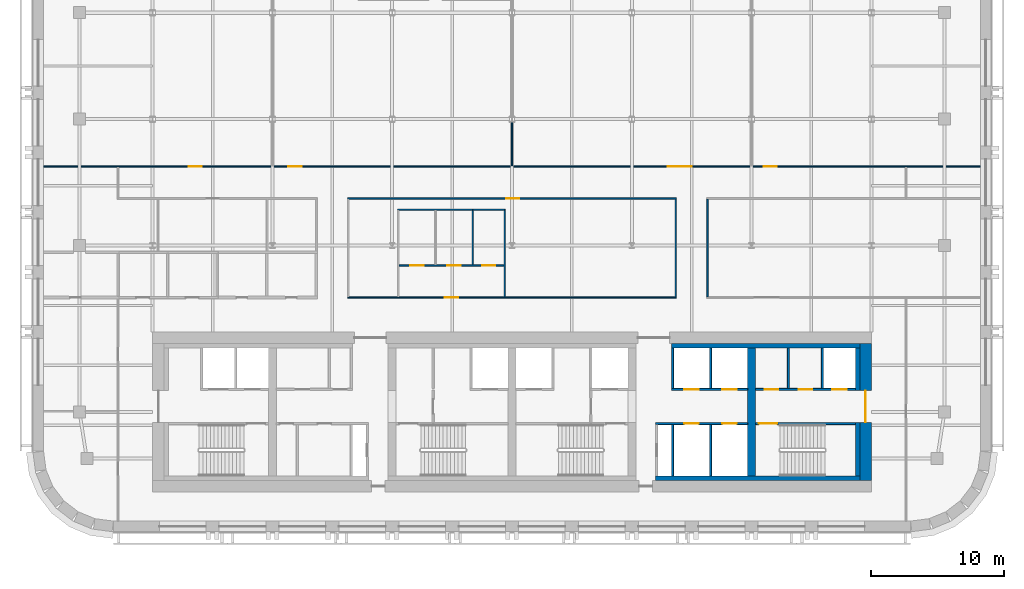
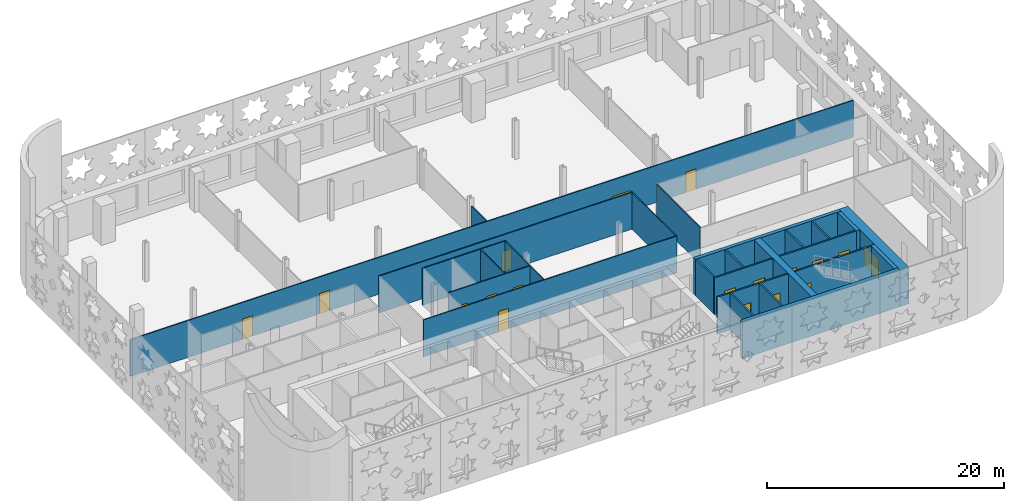
# One storey, part 6 of 14: 26 walls, 18 doors, 18 openings.
"""IFC4 building model written with IfcOpenShell, lengths in metres."""

from ifc_helpers import new_model, si_unit, direction, frame, frame_2d, origin, place, context, subcontext, project, spatial, rectangle, extrude, material, layer, layer_set, type_object, element, fill, save


model = new_model("IFC4")

# Units and contexts
model_context = context("Model", 3, precision=1e-05, world=origin(), true_north=direction((0.0, 1.0)))
body_context = subcontext(model_context, "Body", "Model", "MODEL_VIEW")
ifc_project = project(units=[si_unit("LENGTHUNIT", "METRE"), si_unit("AREAUNIT", "SQUARE_METRE"), si_unit("VOLUMEUNIT", "CUBIC_METRE"), si_unit("PLANEANGLEUNIT", "RADIAN"), si_unit("MASSUNIT", "GRAM", prefix="KILO")], contexts=[model_context])

# Site, building, storey
site_placement = place(None, origin())
site = spatial("IfcSite", under=ifc_project, at=site_placement, CompositionType="ELEMENT")
building_placement = place(site_placement, origin())
building = spatial("IfcBuilding", under=site, at=building_placement, Name="Zellij Exchange Tower", CompositionType="ELEMENT")
storey_placement = place(building_placement, frame((0.0, 0.0, 188.5)))
storey = spatial("IfcBuildingStorey", under=building, at=storey_placement, Name="L43", CompositionType="ELEMENT", Elevation=188.5)

# Walls
ifc_material_1 = material(Name="Concrete C60/75", Category="concrete")
ifc_layer_1 = layer(ifc_material_1, 0.60009765625)
ifc_layer_set_1 = layer_set([ifc_layer_1], Name="Concrete C60/75")
wall_type_1 = type_object("IfcWallType", Name="CORE-CW 600 C60/75", PredefinedType="SHEAR", material=ifc_layer_set_1)
wall_1_placement = place(storey_placement, frame((18.0, -12.800048828125, 0.0), z_axis=(0.0, 0.0, 1.0), x_axis=(0.0, 1.0, 0.0)))
element("IfcWall", 1, at=wall_1_placement, inside=storey, type_object=wall_type_1, Name="Core cross wall x 18 L43", PredefinedType="SHEAR", context=body_context, shape_type="SweptSolid", body=[
    extrude(rectangle(XDim=9.60009765625, YDim=0.60009765625, at=frame_2d((4.800048828125, 0.0))), origin(), (0.0, 0.0, 1.0), 3.800048828125),
])
ifc_material_2 = material(Name="Concrete C30/37", Category="concrete")
ifc_layer_2 = layer(ifc_material_2, 0.35009765625)
ifc_layer_set_2 = layer_set([ifc_layer_2], Name="Concrete C30/37")
wall_type_2 = type_object("IfcWallType", Name="CORE-LW 350 C30/37", PredefinedType="SHEAR", material=ifc_layer_set_2)
wall_2_placement = place(storey_placement, frame((12.0, -3.02490234375, 0.0), z_axis=(0.0, 0.0, 1.0), x_axis=(1.0, 0.0, 0.0)))
element("IfcWall", 2, at=wall_2_placement, inside=storey, type_object=wall_type_2, Name="Core wall lining front.2 L43", PredefinedType="SHEAR", context=body_context, shape_type="SweptSolid", body=[
    extrude(rectangle(XDim=14.14990234375, YDim=0.35009765625, at=frame_2d((7.074951171875, 0.0))), origin(), (0.0, 0.0, 1.0), 3.800048828125),
])
wall_3_placement = place(storey_placement, frame((10.800048828125, -12.97509765625, 0.0), z_axis=(0.0, 0.0, 1.0), x_axis=(1.0, 0.0, 0.0)))
element("IfcWall", 3, at=wall_3_placement, inside=storey, type_object=wall_type_2, Name="Core wall lining rear.2 L43", PredefinedType="SHEAR", context=body_context, shape_type="SweptSolid", body=[
    extrude(rectangle(XDim=15.349853515625, YDim=0.35009765625, at=frame_2d((7.6748046875, 0.0))), origin(), (0.0, 0.0, 1.0), 3.800048828125),
])
wall_4_placement = place(storey_placement, frame((25.97509765625, -12.800048828125, 0.0), z_axis=(0.0, 0.0, 1.0), x_axis=(0.0, 1.0, 0.0)))
element("IfcWall", 4, at=wall_4_placement, inside=storey, type_object=wall_type_2, Name="Core wall lining end e.0 L43", PredefinedType="SHEAR", context=body_context, shape_type="SweptSolid", body=[
    extrude(rectangle(XDim=4.0, YDim=0.35009765625, at=frame_2d((2.0, 0.0))), origin(), (0.0, 0.0, 1.0), 3.800048828125),
])
wall_5_placement = place(storey_placement, frame((25.97509765625, -6.375, 0.0), z_axis=(0.0, 0.0, 1.0), x_axis=(0.0, 1.0, 0.0)))
element("IfcWall", 5, at=wall_5_placement, inside=storey, type_object=wall_type_2, Name="Core wall lining end e.1 L43", PredefinedType="SHEAR", context=body_context, shape_type="SweptSolid", body=[
    extrude(rectangle(XDim=3.175048828125, YDim=0.35009765625, at=frame_2d((1.58740234375, 0.0))), origin(), (0.0, 0.0, 1.0), 3.800048828125),
])
ifc_material_3 = material(Name="Gypsum board partition")
ifc_layer_3 = layer(ifc_material_3, 0.14990234375)
ifc_layer_set_3 = layer_set([ifc_layer_3], Name="Gypsum board partition")
wall_type_3 = type_object("IfcWallType", Name="CORE-PW 150 Lift lobby wall", PredefinedType="PARTITIONING", material=ifc_layer_set_3)
wall_6_placement = place(storey_placement, frame((20.77490234375, -6.22509765625, 0.0), z_axis=(0.0, 0.0, 1.0), x_axis=(0.0, 1.0, 0.0)))
element("IfcWall", 6, at=wall_6_placement, inside=storey, type_object=wall_type_3, Name="Lift lobby wall L43", PredefinedType="PARTITIONING", context=body_context, shape_type="SweptSolid", body=[
    extrude(rectangle(XDim=3.025146484375, YDim=0.14990234375, at=frame_2d((1.5126953125, 0.0))), origin(), (0.0, 0.0, 1.0), 3.800048828125),
])
ifc_material_4 = material(Name="Gypsum shaft wall system")
ifc_layer_4 = layer(ifc_material_4, 0.14990234375)
ifc_layer_set_4 = layer_set([ifc_layer_4], Name="Gypsum shaft wall system")
wall_type_4 = type_object("IfcWallType", Name="CORE-PW 150 Lift shaft wall", PredefinedType="PARTITIONING", material=ifc_layer_set_4)
for number, where, z_axis, x_axis, name in (
    (7, (12.074951171875, -6.22509765625, 0.0), (0.0, 0.0, 1.0), (0.0, 1.0, 0.0), "Lift shaft wall L43"),
    (8, (14.925048828125, -6.22509765625, 0.0), (0.0, 0.0, 1.0), (0.0, 1.0, 0.0), "Lift shaft wall L43"),
    (9, (23.324951171875, -6.22509765625, 0.0), (0.0, 0.0, 1.0), (0.0, 1.0, 0.0), "Lift shaft wall L43"),
):
    element("IfcWall", number, at=place(storey_placement, frame(where, z_axis=z_axis, x_axis=x_axis)), inside=storey, type_object=wall_type_4, Name=name, PredefinedType="PARTITIONING", context=body_context, shape_type="SweptSolid", body=[
        extrude(rectangle(XDim=3.025146484375, YDim=0.14990234375, at=frame_2d((1.5126953125, 0.0))), origin(), (0.0, 0.0, 1.0), 3.800048828125),
    ])
for number, where, z_axis, x_axis, name in (
    (10, (12.074951171875, -12.800048828125, 0.0), (0.0, 0.0, 1.0), (0.0, 1.0, 0.0), "Lift shaft wall L43"),
    (11, (14.925048828125, -12.800048828125, 0.0), (0.0, 0.0, 1.0), (0.0, 1.0, 0.0), "Lift shaft wall L43"),
):
    element("IfcWall", number, at=place(storey_placement, frame(where, z_axis=z_axis, x_axis=x_axis)), inside=storey, type_object=wall_type_4, Name=name, PredefinedType="PARTITIONING", context=body_context, shape_type="SweptSolid", body=[
        extrude(rectangle(XDim=3.85009765625, YDim=0.14990234375, at=frame_2d((1.925048828125, 0.0))), origin(), (0.0, 0.0, 1.0), 3.800048828125),
    ])

# Wall, openings, doors
wall_7_placement = place(storey_placement, frame((12.0, -6.300048828125, 0.0), z_axis=(0.0, 0.0, 1.0), x_axis=(1.0, 0.0, 0.0)))
wall_7 = element("IfcWall", 12, at=wall_7_placement, inside=storey, type_object=wall_type_4, Name="Lift shaft wall L43", PredefinedType="PARTITIONING", context=body_context, shape_type="SweptSolid", body=[
    extrude(rectangle(XDim=5.699951171875, YDim=0.14990234375, at=frame_2d((2.85009765625, 0.0))), origin(), (0.0, 0.0, 1.0), 3.800048828125),
])
opening_1_placement = place(wall_7_placement, frame((0.949951171875, 0.0, 0.0)))
opening_1 = element("IfcOpeningElement", 13, at=opening_1_placement, cuts=wall_7, Name="Opening CA-23.23", PredefinedType="OPENING", context=body_context, shape_type="SweptSolid", body=[
    extrude(rectangle(XDim=1.10009765625, YDim=2.10009765625, at=frame_2d((0.550048828125, 1.050048828125))), frame((0.0, 0.0869140625, 0.0), z_axis=(0.0, -1.0, 0.0), x_axis=(1.0, 0.0, 0.0)), (0.0, 0.0, 1.0), 0.173828125),
])
opening_2_placement = place(wall_7_placement, frame((3.800048828125, 0.0, 0.0)))
opening_2 = element("IfcOpeningElement", 14, at=opening_2_placement, cuts=wall_7, Name="Opening CA-23.25", PredefinedType="OPENING", context=body_context, shape_type="SweptSolid", body=[
    extrude(rectangle(XDim=1.10009765625, YDim=2.10009765625, at=frame_2d((0.550048828125, 1.050048828125))), frame((0.0, 0.0869140625, 0.0), z_axis=(0.0, -1.0, 0.0), x_axis=(1.0, 0.0, 0.0)), (0.0, 0.0, 1.0), 0.173828125),
])
ifc_material_5 = material(Name="Hollow metal fire door")
door_type_1 = type_object("IfcDoorType", Name="CORE-D LD Lift landing door 1100x2100 1.5 HR", OperationType="NOTDEFINED", PredefinedType="DOOR", material=ifc_material_5)
door_1_placement = place(opening_1_placement, origin())
door_1 = element("IfcDoor", 15, at=door_1_placement, inside=storey, type_object=door_type_1, Name="Lift landing door CA-23.23", OperationType="SLIDING_TO_LEFT", OverallHeight=2.10009765625, OverallWidth=1.10009765625, PredefinedType="DOOR", context=body_context, shape_type="SweptSolid", body=[
    extrude(rectangle(XDim=1.10009765625, YDim=2.10009765625, at=frame_2d((0.550048828125, 1.050048828125))), frame((0.0, 0.02490234375, 0.0), z_axis=(0.0, -1.0, 0.0), x_axis=(1.0, 0.0, 0.0)), (0.0, 0.0, 1.0), 0.050048828125),
])
fill(opening_1, door_1)
door_2_placement = place(opening_2_placement, origin())
door_2 = element("IfcDoor", 16, at=door_2_placement, inside=storey, type_object=door_type_1, Name="Lift landing door CA-23.25", OperationType="SLIDING_TO_LEFT", OverallHeight=2.10009765625, OverallWidth=1.10009765625, PredefinedType="DOOR", context=body_context, shape_type="SweptSolid", body=[
    extrude(rectangle(XDim=1.10009765625, YDim=2.10009765625, at=frame_2d((0.550048828125, 1.050048828125))), frame((0.0, 0.02490234375, 0.0), z_axis=(0.0, -1.0, 0.0), x_axis=(1.0, 0.0, 0.0)), (0.0, 0.0, 1.0), 0.050048828125),
])
fill(opening_2, door_2)

wall_8_placement = place(storey_placement, frame((18.300048828125, -6.300048828125, 0.0), z_axis=(0.0, 0.0, 1.0), x_axis=(1.0, 0.0, 0.0)))
wall_8 = element("IfcWall", 17, at=wall_8_placement, inside=storey, type_object=wall_type_4, Name="Lift shaft wall L43", PredefinedType="PARTITIONING", context=body_context, shape_type="SweptSolid", body=[
    extrude(rectangle(XDim=7.5, YDim=0.14990234375, at=frame_2d((3.75, 0.0))), origin(), (0.0, 0.0, 1.0), 3.800048828125),
])
opening_3_placement = place(wall_8_placement, frame((0.699951171875, 0.0, 0.0)))
opening_3 = element("IfcOpeningElement", 18, at=opening_3_placement, cuts=wall_8, Name="Opening CA-23.27", PredefinedType="OPENING", context=body_context, shape_type="SweptSolid", body=[
    extrude(rectangle(XDim=1.0, YDim=2.10009765625, at=frame_2d((0.5, 1.050048828125))), frame((0.0, 0.0869140625, 0.0), z_axis=(0.0, -1.0, 0.0), x_axis=(1.0, 0.0, 0.0)), (0.0, 0.0, 1.0), 0.173828125),
])
opening_4_placement = place(wall_8_placement, frame((3.25, 0.0, 0.0)))
opening_4 = element("IfcOpeningElement", 19, at=opening_4_placement, cuts=wall_8, Name="Opening CA-23.28", PredefinedType="OPENING", context=body_context, shape_type="SweptSolid", body=[
    extrude(rectangle(XDim=1.0, YDim=2.10009765625, at=frame_2d((0.5, 1.050048828125))), frame((0.0, 0.0869140625, 0.0), z_axis=(0.0, -1.0, 0.0), x_axis=(1.0, 0.0, 0.0)), (0.0, 0.0, 1.0), 0.173828125),
])
opening_5_placement = place(wall_8_placement, frame((5.75, 0.0, 0.0)))
opening_5 = element("IfcOpeningElement", 20, at=opening_5_placement, cuts=wall_8, Name="Opening CA-23.29", PredefinedType="OPENING", context=body_context, shape_type="SweptSolid", body=[
    extrude(rectangle(XDim=1.10009765625, YDim=2.10009765625, at=frame_2d((0.550048828125, 1.050048828125))), frame((0.0, 0.0869140625, 0.0), z_axis=(0.0, -1.0, 0.0), x_axis=(1.0, 0.0, 0.0)), (0.0, 0.0, 1.0), 0.173828125),
])
door_type_2 = type_object("IfcDoorType", Name="CORE-D CD Core room door 1000x2100 1 HR", OperationType="NOTDEFINED", PredefinedType="DOOR", material=ifc_material_5)
door_3_placement = place(opening_3_placement, origin())
door_3 = element("IfcDoor", 21, at=door_3_placement, inside=storey, type_object=door_type_2, Name="Core room door CA-23.27", OperationType="SINGLE_SWING_LEFT", OverallHeight=2.10009765625, OverallWidth=1.0, PredefinedType="DOOR", context=body_context, shape_type="SweptSolid", body=[
    extrude(rectangle(XDim=1.0, YDim=2.10009765625, at=frame_2d((0.5, 1.050048828125))), frame((0.0, 0.02490234375, 0.0), z_axis=(0.0, -1.0, 0.0), x_axis=(1.0, 0.0, 0.0)), (0.0, 0.0, 1.0), 0.050048828125),
])
fill(opening_3, door_3)
door_4_placement = place(opening_4_placement, origin())
door_4 = element("IfcDoor", 22, at=door_4_placement, inside=storey, type_object=door_type_2, Name="Core room door CA-23.28", OperationType="SINGLE_SWING_LEFT", OverallHeight=2.10009765625, OverallWidth=1.0, PredefinedType="DOOR", context=body_context, shape_type="SweptSolid", body=[
    extrude(rectangle(XDim=1.0, YDim=2.10009765625, at=frame_2d((0.5, 1.050048828125))), frame((0.0, 0.02490234375, 0.0), z_axis=(0.0, -1.0, 0.0), x_axis=(1.0, 0.0, 0.0)), (0.0, 0.0, 1.0), 0.050048828125),
])
fill(opening_4, door_4)
door_5_placement = place(opening_5_placement, origin())
door_5 = element("IfcDoor", 23, at=door_5_placement, inside=storey, type_object=door_type_1, Name="Lift landing door CA-23.29", OperationType="SLIDING_TO_LEFT", OverallHeight=2.10009765625, OverallWidth=1.10009765625, PredefinedType="DOOR", context=body_context, shape_type="SweptSolid", body=[
    extrude(rectangle(XDim=1.10009765625, YDim=2.10009765625, at=frame_2d((0.550048828125, 1.050048828125))), frame((0.0, 0.02490234375, 0.0), z_axis=(0.0, -1.0, 0.0), x_axis=(1.0, 0.0, 0.0)), (0.0, 0.0, 1.0), 0.050048828125),
])
fill(opening_5, door_5)

wall_9_placement = place(storey_placement, frame((10.800048828125, -8.875, 0.0), z_axis=(0.0, 0.0, 1.0), x_axis=(1.0, 0.0, 0.0)))
wall_9 = element("IfcWall", 24, at=wall_9_placement, inside=storey, type_object=wall_type_4, Name="Lift shaft wall L43", PredefinedType="PARTITIONING", context=body_context, shape_type="SweptSolid", body=[
    extrude(rectangle(XDim=6.89990234375, YDim=0.14990234375, at=frame_2d((3.449951171875, 0.0))), origin(), (0.0, 0.0, 1.0), 3.800048828125),
])
opening_6_placement = place(wall_9_placement, frame((2.14990234375, 0.0, 0.0)))
opening_6 = element("IfcOpeningElement", 25, at=opening_6_placement, cuts=wall_9, Name="Opening CA-23.22", PredefinedType="OPENING", context=body_context, shape_type="SweptSolid", body=[
    extrude(rectangle(XDim=1.10009765625, YDim=2.10009765625, at=frame_2d((0.550048828125, 1.050048828125))), frame((0.0, 0.0869140625, 0.0), z_axis=(0.0, -1.0, 0.0), x_axis=(1.0, 0.0, 0.0)), (0.0, 0.0, 1.0), 0.173828125),
])
opening_7_placement = place(wall_9_placement, frame((5.0, 0.0, 0.0)))
opening_7 = element("IfcOpeningElement", 26, at=opening_7_placement, cuts=wall_9, Name="Opening CA-23.24", PredefinedType="OPENING", context=body_context, shape_type="SweptSolid", body=[
    extrude(rectangle(XDim=1.10009765625, YDim=2.10009765625, at=frame_2d((0.550048828125, 1.050048828125))), frame((0.0, 0.0869140625, 0.0), z_axis=(0.0, -1.0, 0.0), x_axis=(1.0, 0.0, 0.0)), (0.0, 0.0, 1.0), 0.173828125),
])
door_6_placement = place(opening_6_placement, origin())
door_6 = element("IfcDoor", 27, at=door_6_placement, inside=storey, type_object=door_type_1, Name="Lift landing door CA-23.22", OperationType="SLIDING_TO_RIGHT", OverallHeight=2.10009765625, OverallWidth=1.10009765625, PredefinedType="DOOR", context=body_context, shape_type="SweptSolid", body=[
    extrude(rectangle(XDim=1.10009765625, YDim=2.10009765625, at=frame_2d((0.550048828125, 1.050048828125))), frame((0.0, 0.02490234375, 0.0), z_axis=(0.0, -1.0, 0.0), x_axis=(1.0, 0.0, 0.0)), (0.0, 0.0, 1.0), 0.050048828125),
])
fill(opening_6, door_6)
door_7_placement = place(opening_7_placement, origin())
door_7 = element("IfcDoor", 28, at=door_7_placement, inside=storey, type_object=door_type_1, Name="Lift landing door CA-23.24", OperationType="SLIDING_TO_RIGHT", OverallHeight=2.10009765625, OverallWidth=1.10009765625, PredefinedType="DOOR", context=body_context, shape_type="SweptSolid", body=[
    extrude(rectangle(XDim=1.10009765625, YDim=2.10009765625, at=frame_2d((0.550048828125, 1.050048828125))), frame((0.0, 0.02490234375, 0.0), z_axis=(0.0, -1.0, 0.0), x_axis=(1.0, 0.0, 0.0)), (0.0, 0.0, 1.0), 0.050048828125),
])
fill(opening_7, door_7)

# Wall, opening, door
ifc_layer_5 = layer(ifc_material_1, 0.85009765625)
ifc_layer_set_5 = layer_set([ifc_layer_5], Name="Concrete C60/75")
wall_type_5 = type_object("IfcWallType", Name="CORE-SW 850 C60/75", PredefinedType="SHEAR", material=ifc_layer_set_5)
wall_10_placement = place(storey_placement, frame((26.574951171875, -13.14990234375, 0.0), z_axis=(0.0, 0.0, 1.0), x_axis=(0.0, 1.0, 0.0)))
wall_10 = element("IfcWall", 29, at=wall_10_placement, inside=storey, type_object=wall_type_5, Name="Core shear wall end e L43", PredefinedType="SHEAR", context=body_context, shape_type="SweptSolid", body=[
    extrude(rectangle(XDim=10.2998046875, YDim=0.85009765625, at=frame_2d((5.14990234375, 0.0))), origin(), (0.0, 0.0, 1.0), 3.800048828125),
])
opening_8_placement = place(wall_10_placement, frame((4.362060546875, 0.0, 0.0)))
opening_8 = element("IfcOpeningElement", 30, at=opening_8_placement, cuts=wall_10, Name="Opening CA-23.30", PredefinedType="OPENING", context=body_context, shape_type="SweptSolid", body=[
    extrude(rectangle(XDim=2.39990234375, YDim=2.10009765625, at=frame_2d((1.199951171875, 1.050048828125))), frame((0.0, 0.43701171875, 0.0), z_axis=(0.0, -1.0, 0.0), x_axis=(1.0, 0.0, 0.0)), (0.0, 0.0, 1.0), 0.8740234375),
])
door_type_3 = type_object("IfcDoorType", Name="CORE-D CE Core entrance door 2400x2100 20 MIN", OperationType="NOTDEFINED", PredefinedType="DOOR", material=ifc_material_5)
door_8_placement = place(opening_8_placement, origin())
door_8 = element("IfcDoor", 31, at=door_8_placement, inside=storey, type_object=door_type_3, Name="Core entrance door CA-23.30", OperationType="DOUBLE_DOOR_SINGLE_SWING", OverallHeight=2.10009765625, OverallWidth=2.39990234375, PredefinedType="DOOR", context=body_context, shape_type="SweptSolid", body=[
    extrude(rectangle(XDim=2.39990234375, YDim=2.10009765625, at=frame_2d((1.199951171875, 1.050048828125))), frame((0.0, 0.02490234375, 0.0), z_axis=(0.0, -1.0, 0.0), x_axis=(1.0, 0.0, 0.0)), (0.0, 0.0, 1.0), 0.050048828125),
])
fill(opening_8, door_8)

ifc_layer_6 = layer(ifc_material_1, 0.14990234375)
ifc_layer_set_6 = layer_set([ifc_layer_6], Name="Concrete C60/75")
wall_type_6 = type_object("IfcWallType", Name="CORE-SWS 150 C60/75", PredefinedType="SHEAR", material=ifc_layer_set_6)
wall_11_placement = place(storey_placement, frame((18.300048828125, -8.875, 0.0), z_axis=(0.0, 0.0, 1.0), x_axis=(1.0, 0.0, 0.0)))
wall_11 = element("IfcWall", 32, at=wall_11_placement, inside=storey, type_object=wall_type_6, Name="Stair enclosure wall L43", PredefinedType="SHEAR", context=body_context, shape_type="SweptSolid", body=[
    extrude(rectangle(XDim=7.5, YDim=0.14990234375, at=frame_2d((3.75, 0.0))), origin(), (0.0, 0.0, 1.0), 3.800048828125),
])
opening_9_placement = place(wall_11_placement, frame((0.22509765625, 0.0, 0.0)))
opening_9 = element("IfcOpeningElement", 33, at=opening_9_placement, cuts=wall_11, Name="Opening CA-23.26", PredefinedType="OPENING", context=body_context, shape_type="SweptSolid", body=[
    extrude(rectangle(XDim=1.39990234375, YDim=2.10009765625, at=frame_2d((0.699951171875, 1.050048828125))), frame((0.0, 0.0869140625, 0.0), z_axis=(0.0, -1.0, 0.0), x_axis=(1.0, 0.0, 0.0)), (0.0, 0.0, 1.0), 0.173828125),
])
door_type_4 = type_object("IfcDoorType", Name="CORE-D SD Stair door 1400x2100 1.5 HR", OperationType="NOTDEFINED", PredefinedType="DOOR", material=ifc_material_5)
door_9_placement = place(opening_9_placement, origin())
door_9 = element("IfcDoor", 34, at=door_9_placement, inside=storey, type_object=door_type_4, Name="Stair door CA-23.26", OperationType="DOUBLE_DOOR_SINGLE_SWING", OverallHeight=2.10009765625, OverallWidth=1.39990234375, PredefinedType="DOOR", context=body_context, shape_type="SweptSolid", body=[
    extrude(rectangle(XDim=1.39990234375, YDim=2.10009765625, at=frame_2d((0.699951171875, 1.050048828125))), frame((0.0, 0.02490234375, 0.0), z_axis=(0.0, -1.0, 0.0), x_axis=(1.0, 0.0, 0.0)), (0.0, 0.0, 1.0), 0.050048828125),
])
fill(opening_9, door_9)

ifc_material_6 = material(Name="Gypsum board partition on steel studs", Category="steel")
ifc_layer_7 = layer(ifc_material_6, 0.10009765625)
ifc_layer_set_7 = layer_set([ifc_layer_7], Name="Gypsum board partition on steel studs")
wall_type_7 = type_object("IfcWallType", Name="FIT-PARTITION-100", PredefinedType="PARTITIONING", material=ifc_layer_set_7)
wall_12_placement = place(storey_placement, frame((-12.35009765625, 0.60009765625, 0.0), z_axis=(0.0, 0.0, 1.0), x_axis=(1.0, 0.0, 0.0)))
wall_12 = element("IfcWall", 35, at=wall_12_placement, inside=storey, type_object=wall_type_7, Name="FIT-PARTITION-100 013", PredefinedType="PARTITIONING", context=body_context, shape_type="SweptSolid", body=[
    extrude(rectangle(XDim=24.7001953125, YDim=0.10009765625, at=frame_2d((12.35009765625, 0.0))), origin(), (0.0, 0.0, 1.0), 3.800048828125),
])
opening_10_placement = place(wall_12_placement, frame((7.300048828125, 0.0, 0.0)))
opening_10 = element("IfcOpeningElement", 36, at=opening_10_placement, cuts=wall_12, Name="Opening O3C.09", PredefinedType="OPENING", context=body_context, shape_type="SweptSolid", body=[
    extrude(rectangle(XDim=1.0, YDim=2.10009765625, at=frame_2d((0.5, 1.050048828125))), frame((0.0, 0.06201171875, 0.0), z_axis=(0.0, -1.0, 0.0), x_axis=(1.0, 0.0, 0.0)), (0.0, 0.0, 1.0), 0.1240234375),
])
ifc_material_7 = material(Name="Timber door set", Category="wood")
door_type_5 = type_object("IfcDoorType", Name="FIT-D2-WIDE-1000X2100", OperationType="SINGLE_SWING_LEFT", PredefinedType="DOOR", material=ifc_material_7)
door_10_placement = place(opening_10_placement, origin())
door_10 = element("IfcDoor", 37, at=door_10_placement, inside=storey, type_object=door_type_5, Name="Door O3C.09", OperationType="SINGLE_SWING_LEFT", OverallHeight=2.10009765625, OverallWidth=1.0, PredefinedType="DOOR", context=body_context, shape_type="SweptSolid", body=[
    extrude(rectangle(XDim=1.0, YDim=2.10009765625, at=frame_2d((0.5, 1.050048828125))), frame((0.0, 0.02490234375, 0.0), z_axis=(0.0, -1.0, 0.0), x_axis=(1.0, 0.0, 0.0)), (0.0, 0.0, 1.0), 0.050048828125),
])
fill(opening_10, door_10)

# Walls
wall_13_placement = place(storey_placement, frame((-0.550048828125, 0.64990234375, 0.0), z_axis=(0.0, 0.0, 1.0), x_axis=(0.0, 1.0, 0.0)))
element("IfcWall", 38, at=wall_13_placement, inside=storey, type_object=wall_type_7, Name="FIT-PARTITION-100 016", PredefinedType="PARTITIONING", context=body_context, shape_type="SweptSolid", body=[
    extrude(rectangle(XDim=6.5, YDim=0.10009765625, at=frame_2d((3.25, 0.0))), origin(), (0.0, 0.0, 1.0), 3.800048828125),
])
for number, where, z_axis, x_axis, name in (
    (39, (12.300048828125, 0.64990234375, 0.0), (0.0, 0.0, 1.0), (0.0, 1.0, 0.0), "FIT-PARTITION-100 017"),
    (40, (14.699951171875, 0.64990234375, 0.0), (0.0, 0.0, 1.0), (0.0, 1.0, 0.0), "FIT-PARTITION-100 019"),
):
    element("IfcWall", number, at=place(storey_placement, frame(where, z_axis=z_axis, x_axis=x_axis)), inside=storey, type_object=wall_type_7, Name=name, PredefinedType="PARTITIONING", context=body_context, shape_type="SweptSolid", body=[
        extrude(rectangle(XDim=7.35009765625, YDim=0.10009765625, at=frame_2d((3.675048828125, 0.0))), origin(), (0.0, 0.0, 1.0), 3.800048828125),
    ])

# Wall, openings, doors
wall_14_placement = place(storey_placement, frame((-8.5, 3.0, 0.0), z_axis=(0.0, 0.0, 1.0), x_axis=(1.0, 0.0, 0.0)))
wall_14 = element("IfcWall", 41, at=wall_14_placement, inside=storey, type_object=wall_type_7, Name="FIT-PARTITION-100 020", PredefinedType="PARTITIONING", context=body_context, shape_type="SweptSolid", body=[
    extrude(rectangle(XDim=7.89990234375, YDim=0.10009765625, at=frame_2d((3.949951171875, 0.0))), origin(), (0.0, 0.0, 1.0), 3.800048828125),
])
opening_11_placement = place(wall_14_placement, frame((0.85009765625, 0.0, 0.0)))
opening_11 = element("IfcOpeningElement", 42, at=opening_11_placement, cuts=wall_14, Name="Opening O3C.11", PredefinedType="OPENING", context=body_context, shape_type="SweptSolid", body=[
    extrude(rectangle(XDim=1.0, YDim=2.10009765625, at=frame_2d((0.5, 1.050048828125))), frame((0.0, 0.06201171875, 0.0), z_axis=(0.0, -1.0, 0.0), x_axis=(1.0, 0.0, 0.0)), (0.0, 0.0, 1.0), 0.1240234375),
])
opening_12_placement = place(wall_14_placement, frame((3.64990234375, 0.0, 0.0)))
opening_12 = element("IfcOpeningElement", 43, at=opening_12_placement, cuts=wall_14, Name="Opening O3C.12", PredefinedType="OPENING", context=body_context, shape_type="SweptSolid", body=[
    extrude(rectangle(XDim=1.0, YDim=2.10009765625, at=frame_2d((0.5, 1.050048828125))), frame((0.0, 0.06201171875, 0.0), z_axis=(0.0, -1.0, 0.0), x_axis=(1.0, 0.0, 0.0)), (0.0, 0.0, 1.0), 0.1240234375),
])
opening_13_placement = place(wall_14_placement, frame((6.25, 0.0, 0.0)))
opening_13 = element("IfcOpeningElement", 44, at=opening_13_placement, cuts=wall_14, Name="Opening O3C.13", PredefinedType="OPENING", context=body_context, shape_type="SweptSolid", body=[
    extrude(rectangle(XDim=1.0, YDim=2.10009765625, at=frame_2d((0.5, 1.050048828125))), frame((0.0, 0.06201171875, 0.0), z_axis=(0.0, -1.0, 0.0), x_axis=(1.0, 0.0, 0.0)), (0.0, 0.0, 1.0), 0.1240234375),
])
door_11_placement = place(opening_11_placement, origin())
door_11 = element("IfcDoor", 45, at=door_11_placement, inside=storey, type_object=door_type_5, Name="Door O3C.11", OperationType="SINGLE_SWING_RIGHT", OverallHeight=2.10009765625, OverallWidth=1.0, PredefinedType="DOOR", context=body_context, shape_type="SweptSolid", body=[
    extrude(rectangle(XDim=1.0, YDim=2.10009765625, at=frame_2d((0.5, 1.050048828125))), frame((0.0, 0.02490234375, 0.0), z_axis=(0.0, -1.0, 0.0), x_axis=(1.0, 0.0, 0.0)), (0.0, 0.0, 1.0), 0.050048828125),
])
fill(opening_11, door_11)
door_12_placement = place(opening_12_placement, origin())
door_12 = element("IfcDoor", 46, at=door_12_placement, inside=storey, type_object=door_type_5, Name="Door O3C.12", OperationType="SINGLE_SWING_LEFT", OverallHeight=2.10009765625, OverallWidth=1.0, PredefinedType="DOOR", context=body_context, shape_type="SweptSolid", body=[
    extrude(rectangle(XDim=1.0, YDim=2.10009765625, at=frame_2d((0.5, 1.050048828125))), frame((0.0, 0.02490234375, 0.0), z_axis=(0.0, -1.0, 0.0), x_axis=(1.0, 0.0, 0.0)), (0.0, 0.0, 1.0), 0.050048828125),
])
fill(opening_12, door_12)
door_13_placement = place(opening_13_placement, origin())
door_13 = element("IfcDoor", 47, at=door_13_placement, inside=storey, type_object=door_type_5, Name="Door O3C.13", OperationType="SINGLE_SWING_LEFT", OverallHeight=2.10009765625, OverallWidth=1.0, PredefinedType="DOOR", context=body_context, shape_type="SweptSolid", body=[
    extrude(rectangle(XDim=1.0, YDim=2.10009765625, at=frame_2d((0.5, 1.050048828125))), frame((0.0, 0.02490234375, 0.0), z_axis=(0.0, -1.0, 0.0), x_axis=(1.0, 0.0, 0.0)), (0.0, 0.0, 1.0), 0.050048828125),
])
fill(opening_13, door_13)

# Walls
wall_15_placement = place(storey_placement, frame((-2.949951171875, 3.050048828125, 0.0), z_axis=(0.0, 0.0, 1.0), x_axis=(0.0, 1.0, 0.0)))
element("IfcWall", 48, at=wall_15_placement, inside=storey, type_object=wall_type_7, Name="FIT-PARTITION-100 022", PredefinedType="PARTITIONING", context=body_context, shape_type="SweptSolid", body=[
    extrude(rectangle(XDim=4.099853515625, YDim=0.10009765625, at=frame_2d((2.0498046875, 0.0))), origin(), (0.0, 0.0, 1.0), 3.800048828125),
])
wall_16_placement = place(storey_placement, frame((-8.60009765625, 7.199951171875, 0.0), z_axis=(0.0, 0.0, 1.0), x_axis=(1.0, 0.0, 0.0)))
element("IfcWall", 49, at=wall_16_placement, inside=storey, type_object=wall_type_7, Name="FIT-PARTITION-100 030", PredefinedType="PARTITIONING", context=body_context, shape_type="SweptSolid", body=[
    extrude(rectangle(XDim=8.10009765625, YDim=0.10009765625, at=frame_2d((4.050048828125, 0.0))), origin(), (0.0, 0.0, 1.0), 3.800048828125),
])

# Wall, opening, door
wall_17_placement = place(storey_placement, frame((-12.35009765625, 8.050048828125, 0.0), z_axis=(0.0, 0.0, 1.0), x_axis=(1.0, 0.0, 0.0)))
wall_17 = element("IfcWall", 50, at=wall_17_placement, inside=storey, type_object=wall_type_7, Name="FIT-PARTITION-100 033", PredefinedType="PARTITIONING", context=body_context, shape_type="SweptSolid", body=[
    extrude(rectangle(XDim=24.7001953125, YDim=0.10009765625, at=frame_2d((12.35009765625, 0.0))), origin(), (0.0, 0.0, 1.0), 3.800048828125),
])
opening_14_placement = place(wall_17_placement, frame((11.89990234375, 0.0, 0.0)))
opening_14 = element("IfcOpeningElement", 51, at=opening_14_placement, cuts=wall_17, Name="Opening O3C.15", PredefinedType="OPENING", context=body_context, shape_type="SweptSolid", body=[
    extrude(rectangle(XDim=1.0, YDim=2.10009765625, at=frame_2d((0.5, 1.050048828125))), frame((0.0, 0.06201171875, 0.0), z_axis=(0.0, -1.0, 0.0), x_axis=(1.0, 0.0, 0.0)), (0.0, 0.0, 1.0), 0.1240234375),
])
door_14_placement = place(opening_14_placement, origin())
door_14 = element("IfcDoor", 52, at=door_14_placement, inside=storey, type_object=door_type_5, Name="Door O3C.15", OperationType="SINGLE_SWING_RIGHT", OverallHeight=2.10009765625, OverallWidth=1.0, PredefinedType="DOOR", context=body_context, shape_type="SweptSolid", body=[
    extrude(rectangle(XDim=1.0, YDim=2.10009765625, at=frame_2d((0.5, 1.050048828125))), frame((0.0, 0.02490234375, 0.0), z_axis=(0.0, -1.0, 0.0), x_axis=(1.0, 0.0, 0.0)), (0.0, 0.0, 1.0), 0.050048828125),
])
fill(opening_14, door_14)

# Wall, openings, doors
wall_18_placement = place(storey_placement, frame((-35.199951171875, 10.449951171875, 0.0), z_axis=(0.0, 0.0, 1.0), x_axis=(1.0, 0.0, 0.0)))
wall_18 = element("IfcWall", 53, at=wall_18_placement, inside=storey, type_object=wall_type_7, Name="FIT-PARTITION-100 036", PredefinedType="PARTITIONING", context=body_context, shape_type="SweptSolid", body=[
    extrude(rectangle(XDim=70.39990234375, YDim=0.10009765625, at=frame_2d((35.199951171875, 0.0))), origin(), (0.0, 0.0, 1.0), 3.800048828125),
])
opening_15_placement = place(wall_18_placement, frame((10.89990234375, 0.0, 0.0)))
opening_15 = element("IfcOpeningElement", 54, at=opening_15_placement, cuts=wall_18, Name="Opening O3C.16", PredefinedType="OPENING", context=body_context, shape_type="SweptSolid", body=[
    extrude(rectangle(XDim=1.0, YDim=2.10009765625, at=frame_2d((0.5, 1.050048828125))), frame((0.0, 0.06201171875, 0.0), z_axis=(0.0, -1.0, 0.0), x_axis=(1.0, 0.0, 0.0)), (0.0, 0.0, 1.0), 0.1240234375),
])
opening_16_placement = place(wall_18_placement, frame((18.39990234375, 0.0, 0.0)))
opening_16 = element("IfcOpeningElement", 55, at=opening_16_placement, cuts=wall_18, Name="Opening O3C.17", PredefinedType="OPENING", context=body_context, shape_type="SweptSolid", body=[
    extrude(rectangle(XDim=1.0, YDim=2.10009765625, at=frame_2d((0.5, 1.050048828125))), frame((0.0, 0.06201171875, 0.0), z_axis=(0.0, -1.0, 0.0), x_axis=(1.0, 0.0, 0.0)), (0.0, 0.0, 1.0), 0.1240234375),
])
opening_17_placement = place(wall_18_placement, frame((46.89990234375, 0.0, 0.0)))
opening_17 = element("IfcOpeningElement", 56, at=opening_17_placement, cuts=wall_18, Name="Opening O3C.18", PredefinedType="OPENING", context=body_context, shape_type="SweptSolid", body=[
    extrude(rectangle(XDim=1.800048828125, YDim=2.10009765625, at=frame_2d((0.89990234375, 1.050048828125))), frame((0.0, 0.06201171875, 0.0), z_axis=(0.0, -1.0, 0.0), x_axis=(1.0, 0.0, 0.0)), (0.0, 0.0, 1.0), 0.1240234375),
])
opening_18_placement = place(wall_18_placement, frame((54.10009765625, 0.0, 0.0)))
opening_18 = element("IfcOpeningElement", 57, at=opening_18_placement, cuts=wall_18, Name="Opening O3C.19", PredefinedType="OPENING", context=body_context, shape_type="SweptSolid", body=[
    extrude(rectangle(XDim=1.0, YDim=2.10009765625, at=frame_2d((0.5, 1.050048828125))), frame((0.0, 0.06201171875, 0.0), z_axis=(0.0, -1.0, 0.0), x_axis=(1.0, 0.0, 0.0)), (0.0, 0.0, 1.0), 0.1240234375),
])
door_15_placement = place(opening_15_placement, origin())
door_15 = element("IfcDoor", 58, at=door_15_placement, inside=storey, type_object=door_type_5, Name="Door O3C.16", OperationType="SINGLE_SWING_RIGHT", OverallHeight=2.10009765625, OverallWidth=1.0, PredefinedType="DOOR", context=body_context, shape_type="SweptSolid", body=[
    extrude(rectangle(XDim=1.0, YDim=2.10009765625, at=frame_2d((0.5, 1.050048828125))), frame((0.0, 0.02490234375, 0.0), z_axis=(0.0, -1.0, 0.0), x_axis=(1.0, 0.0, 0.0)), (0.0, 0.0, 1.0), 0.050048828125),
])
fill(opening_15, door_15)
door_16_placement = place(opening_16_placement, origin())
door_16 = element("IfcDoor", 59, at=door_16_placement, inside=storey, type_object=door_type_5, Name="Door O3C.17", OperationType="SINGLE_SWING_RIGHT", OverallHeight=2.10009765625, OverallWidth=1.0, PredefinedType="DOOR", context=body_context, shape_type="SweptSolid", body=[
    extrude(rectangle(XDim=1.0, YDim=2.10009765625, at=frame_2d((0.5, 1.050048828125))), frame((0.0, 0.02490234375, 0.0), z_axis=(0.0, -1.0, 0.0), x_axis=(1.0, 0.0, 0.0)), (0.0, 0.0, 1.0), 0.050048828125),
])
fill(opening_16, door_16)
door_17_placement = place(opening_18_placement, origin())
door_17 = element("IfcDoor", 60, at=door_17_placement, inside=storey, type_object=door_type_5, Name="Door O3C.19", OperationType="SINGLE_SWING_RIGHT", OverallHeight=2.10009765625, OverallWidth=1.0, PredefinedType="DOOR", context=body_context, shape_type="SweptSolid", body=[
    extrude(rectangle(XDim=1.0, YDim=2.10009765625, at=frame_2d((0.5, 1.050048828125))), frame((0.0, 0.02490234375, 0.0), z_axis=(0.0, -1.0, 0.0), x_axis=(1.0, 0.0, 0.0)), (0.0, 0.0, 1.0), 0.050048828125),
])
fill(opening_18, door_17)
door_type_6 = type_object("IfcDoorType", Name="FIT-D3-DOUBLE-1800X2100", OperationType="DOUBLE_DOOR_SINGLE_SWING", PredefinedType="DOOR", material=ifc_material_7)
door_18_placement = place(opening_17_placement, origin())
door_18 = element("IfcDoor", 61, at=door_18_placement, inside=storey, type_object=door_type_6, Name="Door O3C.18", OperationType="DOUBLE_DOOR_SINGLE_SWING", OverallHeight=2.10009765625, OverallWidth=1.800048828125, PredefinedType="DOOR", context=body_context, shape_type="SweptSolid", body=[
    extrude(rectangle(XDim=1.800048828125, YDim=2.10009765625, at=frame_2d((0.89990234375, 1.050048828125))), frame((0.0, 0.02490234375, 0.0), z_axis=(0.0, -1.0, 0.0), x_axis=(1.0, 0.0, 0.0)), (0.0, 0.0, 1.0), 0.050048828125),
])
fill(opening_17, door_18)

# Wall
wall_19_placement = place(storey_placement, frame((0.0, 10.5, 0.0), z_axis=(0.0, 0.0, 1.0), x_axis=(0.0, 1.0, 0.0)))
element("IfcWall", 62, at=wall_19_placement, inside=storey, type_object=wall_type_7, Name="FIT-PARTITION-100 041", PredefinedType="PARTITIONING", context=body_context, shape_type="SweptSolid", body=[
    extrude(rectangle(XDim=3.287841796875, YDim=0.10009765625, at=frame_2d((1.64404296875, 0.0))), origin(), (0.0, 0.0, 1.0), 3.19287109375),
])

save(model, "model.ifc")
